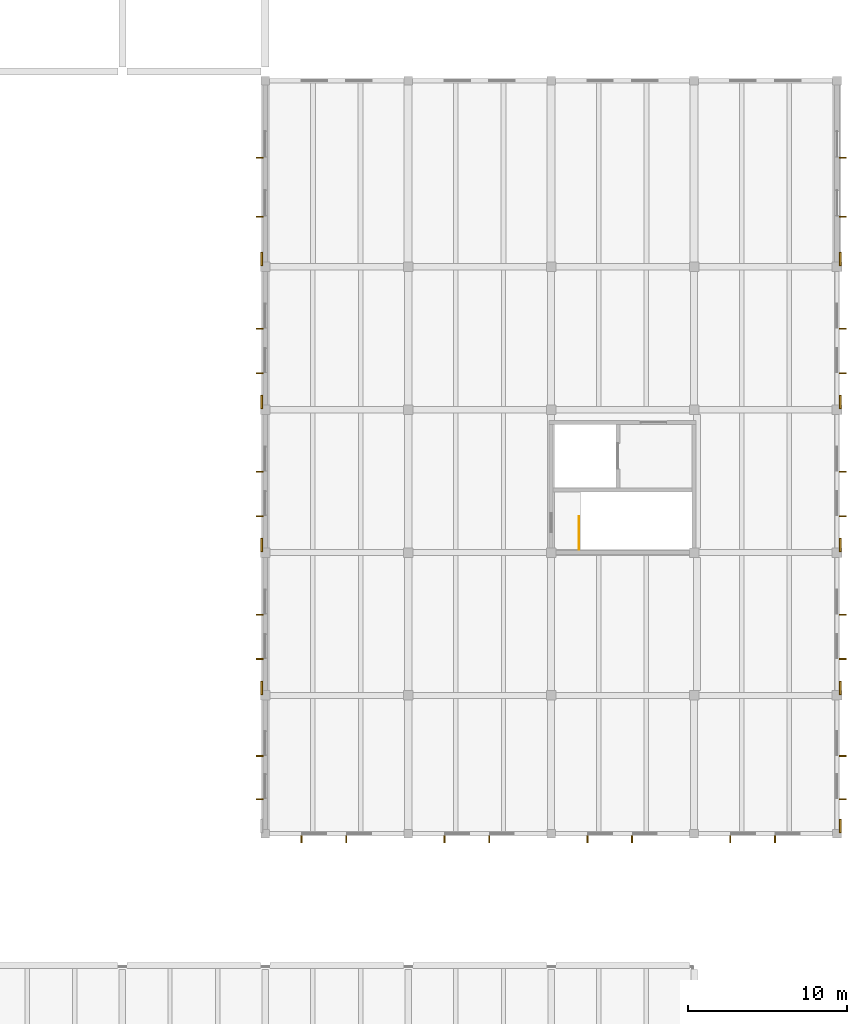
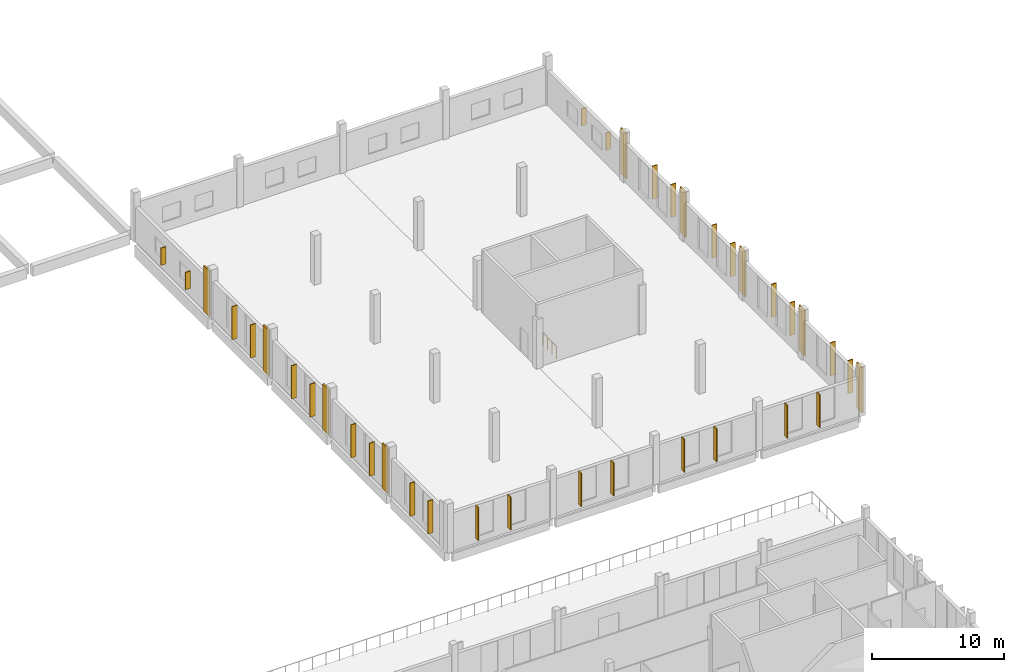
# One storey, part 24 of 25: 28 shading devices, 9 coverings, 1 railing.
"""IFC4 building model written with IfcOpenShell, lengths in metres."""

from ifc_helpers import new_model, si_unit, direction, frame, origin, origin_2d, place, context, subcontext, project, spatial, rectangle, circle, extrude, material, layer, layer_set, type_object, element, save


model = new_model("IFC4")

# Units and contexts
model_context = context("Model", 3, precision=1e-05, world=origin(), true_north=direction((0.0, 1.0)))
body_context = subcontext(model_context, "Body", "Model", "MODEL_VIEW")
ifc_project = project(units=[si_unit("LENGTHUNIT", "METRE"), si_unit("AREAUNIT", "SQUARE_METRE"), si_unit("VOLUMEUNIT", "CUBIC_METRE"), si_unit("PLANEANGLEUNIT", "RADIAN"), si_unit("MASSUNIT", "GRAM", prefix="KILO")], contexts=[model_context])

# Site, building, storey
site_placement = place(None, origin())
site = spatial("IfcSite", under=ifc_project, at=site_placement, CompositionType="ELEMENT")
building_placement = place(site_placement, origin())
building = spatial("IfcBuilding", under=site, at=building_placement, Name="Zacnel Wholesale Market", CompositionType="ELEMENT")
storey_placement = place(building_placement, frame((0.0, 0.0, 15.75)))
storey = spatial("IfcBuildingStorey", under=building, at=storey_placement, Name="L04", CompositionType="ELEMENT", Elevation=15.75)

# Coverings
ifc_material_1 = material(Name="Honed Yucatan Maya cream limestone", Category="masonry")
ifc_layer = layer(ifc_material_1, 0.090087890625)
ifc_layer_set = layer_set([ifc_layer], Name="Honed Yucatan Maya cream limestone")
covering_type = type_object("IfcCoveringType", Name="COV-CLAD-FRET", PredefinedType="CLADDING", material=ifc_layer_set)
for number, where, z_axis, x_axis, name in (
    (1, (179.7900390625, 57.47998046875, 0.02001953125), (0.0, 0.0, 1.0), (0.0, 1.0, 0.0), "Fluted Mayan-Deco limestone pilaster L04-0279"),
    (2, (179.7900390625, 66.47998046875, 0.02001953125), (0.0, 0.0, 1.0), (0.0, 1.0, 0.0), "Fluted Mayan-Deco limestone pilaster L04-0280"),
    (3, (179.7900390625, 75.47998046875, 0.02001953125), (0.0, 0.0, 1.0), (0.0, 1.0, 0.0), "Fluted Mayan-Deco limestone pilaster L04-0281"),
    (4, (179.7900390625, 84.47998046875, 0.02001953125), (0.0, 0.0, 1.0), (0.0, 1.0, 0.0), "Fluted Mayan-Deco limestone pilaster L04-0282"),
    (5, (216.2099609375, 48.780029296875, 0.02001953125), (0.0, 0.0, 1.0), (0.0, 1.0, 0.0), "Fluted Mayan-Deco limestone pilaster L04-0283"),
    (6, (216.2099609375, 57.47998046875, 0.02001953125), (0.0, 0.0, 1.0), (0.0, 1.0, 0.0), "Fluted Mayan-Deco limestone pilaster L04-0284"),
    (7, (216.2099609375, 66.47998046875, 0.02001953125), (0.0, 0.0, 1.0), (0.0, 1.0, 0.0), "Fluted Mayan-Deco limestone pilaster L04-0285"),
    (8, (216.2099609375, 75.47998046875, 0.02001953125), (0.0, 0.0, 1.0), (0.0, 1.0, 0.0), "Fluted Mayan-Deco limestone pilaster L04-0286"),
    (9, (216.2099609375, 84.47998046875, 0.02001953125), (0.0, 0.0, 1.0), (0.0, 1.0, 0.0), "Fluted Mayan-Deco limestone pilaster L04-0287"),
):
    element("IfcCovering", number, at=place(storey_placement, frame(where, z_axis=z_axis, x_axis=x_axis)), inside=storey, type_object=covering_type, Name=name, PredefinedType="CLADDING", context=body_context, shape_type="SweptSolid", body=[
        extrude(rectangle(XDim=0.85009765625, YDim=0.1201171875, at=origin_2d()), origin(), (0.0, 0.0, 1.0), 4.2099609375),
    ])

# Railing
ifc_material_2 = material(Name="Galvanized steel", Category="steel")
railing_type = type_object("IfcRailingType", Name="RAL-STAIR-GD1150", PredefinedType="BALUSTRADE", material=ifc_material_2)
railing_placement = place(storey_placement, frame((199.75, 66.18994140625, 0.0)))
element("IfcRailing", 10, at=railing_placement, inside=storey, type_object=railing_type, Name="Stair balustrade INT-STAIR-ST-29-GDWELL-1", PredefinedType="BALUSTRADE", context=body_context, shape_type="SweptSolid", body=[
    extrude(circle(Radius=0.02392578125, at=origin_2d()), frame((0.0, 0.0, 1.1259765625), z_axis=(0.0, 1.0, 0.0), x_axis=(-1.0, 0.0, 0.0)), (0.0, 0.0, 1.0), 2.06005859375),
    extrude(circle(Radius=0.02099609375, at=origin_2d()), origin(), (0.0, 0.0, 1.0), 1.101806640625),
    extrude(circle(Radius=0.02099609375, at=origin_2d()), frame((0.0, 0.686767578125, 0.0)), (0.0, 0.0, 1.0), 1.101806640625),
    extrude(circle(Radius=0.02099609375, at=origin_2d()), frame((0.0, 1.373291015625, 0.0)), (0.0, 0.0, 1.0), 1.101806640625),
    extrude(circle(Radius=0.02099609375, at=origin_2d()), frame((0.0, 2.06005859375, 0.0)), (0.0, 0.0, 1.0), 1.101806640625),
])

# Shading devices
ifc_material_3 = material(Name="Honed Yucatan Maya cream limestone", Category="masonry")
shading_device_type = type_object("IfcShadingDeviceType", Name="SHD-FIN-V450", PredefinedType="USERDEFINED", material=ifc_material_3)
for number, where, z_axis, x_axis, name in (
    (11, (182.281982421875, 47.93994140625, 0.48486328125), (0.0, 0.0, 1.0), (1.0, 0.0, 0.0), "Limestone sunshade fin 0331"),
    (12, (185.097900390625, 47.93994140625, 0.48486328125), (0.0, 0.0, 1.0), (1.0, 0.0, 0.0), "Limestone sunshade fin 0332"),
    (13, (191.281982421875, 47.93994140625, 0.48486328125), (0.0, 0.0, 1.0), (1.0, 0.0, 0.0), "Limestone sunshade fin 0333"),
    (14, (194.097900390625, 47.93994140625, 0.48486328125), (0.0, 0.0, 1.0), (1.0, 0.0, 0.0), "Limestone sunshade fin 0334"),
    (15, (200.281982421875, 47.93994140625, 0.48486328125), (0.0, 0.0, 1.0), (1.0, 0.0, 0.0), "Limestone sunshade fin 0335"),
    (16, (203.097900390625, 47.93994140625, 0.48486328125), (0.0, 0.0, 1.0), (1.0, 0.0, 0.0), "Limestone sunshade fin 0336"),
    (17, (209.281982421875, 47.93994140625, 0.48486328125), (0.0, 0.0, 1.0), (1.0, 0.0, 0.0), "Limestone sunshade fin 0337"),
    (18, (212.097900390625, 47.93994140625, 0.48486328125), (0.0, 0.0, 1.0), (1.0, 0.0, 0.0), "Limestone sunshade fin 0338"),
    (19, (179.639892578125, 50.472900390625, 0.43505859375), (0.0, 0.0, 1.0), (0.0, 1.0, 0.0), "Limestone sunshade fin 0339"),
    (20, (179.639892578125, 53.181884765625, 0.43505859375), (0.0, 0.0, 1.0), (0.0, 1.0, 0.0), "Limestone sunshade fin 0340"),
    (21, (179.639892578125, 59.2900390625, 0.43505859375), (0.0, 0.0, 1.0), (0.0, 1.0, 0.0), "Limestone sunshade fin 0341"),
    (22, (179.639892578125, 62.090087890625, 0.43505859375), (0.0, 0.0, 1.0), (0.0, 1.0, 0.0), "Limestone sunshade fin 0342"),
    (23, (179.639892578125, 68.2900390625, 0.43505859375), (0.0, 0.0, 1.0), (0.0, 1.0, 0.0), "Limestone sunshade fin 0343"),
    (24, (179.639892578125, 71.090087890625, 0.43505859375), (0.0, 0.0, 1.0), (0.0, 1.0, 0.0), "Limestone sunshade fin 0344"),
    (25, (179.639892578125, 77.2900390625, 0.43505859375), (0.0, 0.0, 1.0), (0.0, 1.0, 0.0), "Limestone sunshade fin 0345"),
    (26, (179.639892578125, 80.090087890625, 0.43505859375), (0.0, 0.0, 1.0), (0.0, 1.0, 0.0), "Limestone sunshade fin 0346"),
):
    element("IfcShadingDevice", number, at=place(storey_placement, frame(where, z_axis=z_axis, x_axis=x_axis)), inside=storey, type_object=shading_device_type, Name=name, ObjectType="SUNSHADE", PredefinedType="USERDEFINED", context=body_context, shape_type="SweptSolid", body=[
        extrude(rectangle(XDim=0.080078125, YDim=0.43994140625, at=origin_2d()), origin(), (0.0, 0.0, 1.0), 3.050048828125),
    ])
for number, where, z_axis, x_axis, name in (
    (27, (179.639892578125, 87.14794921875, 0.77490234375), (0.0, 0.0, 1.0), (0.0, 1.0, 0.0), "Limestone sunshade fin 0347"),
    (28, (179.639892578125, 90.85693359375, 0.77490234375), (0.0, 0.0, 1.0), (0.0, 1.0, 0.0), "Limestone sunshade fin 0348"),
):
    element("IfcShadingDevice", number, at=place(storey_placement, frame(where, z_axis=z_axis, x_axis=x_axis)), inside=storey, type_object=shading_device_type, Name=name, ObjectType="SUNSHADE", PredefinedType="USERDEFINED", context=body_context, shape_type="SweptSolid", body=[
        extrude(rectangle(XDim=0.080078125, YDim=0.43994140625, at=origin_2d()), origin(), (0.0, 0.0, 1.0), 1.60009765625),
    ])
for number, where, z_axis, x_axis, name in (
    (29, (216.360107421875, 50.472900390625, 0.55517578125), (0.0, 0.0, 1.0), (0.0, 1.0, 0.0), "Limestone sunshade fin 0349"),
    (30, (216.360107421875, 53.181884765625, 0.55517578125), (0.0, 0.0, 1.0), (0.0, 1.0, 0.0), "Limestone sunshade fin 0350"),
    (31, (216.360107421875, 59.2900390625, 0.55517578125), (0.0, 0.0, 1.0), (0.0, 1.0, 0.0), "Limestone sunshade fin 0351"),
    (32, (216.360107421875, 62.090087890625, 0.55517578125), (0.0, 0.0, 1.0), (0.0, 1.0, 0.0), "Limestone sunshade fin 0352"),
    (33, (216.360107421875, 68.2900390625, 0.55517578125), (0.0, 0.0, 1.0), (0.0, 1.0, 0.0), "Limestone sunshade fin 0353"),
    (34, (216.360107421875, 71.090087890625, 0.55517578125), (0.0, 0.0, 1.0), (0.0, 1.0, 0.0), "Limestone sunshade fin 0354"),
    (35, (216.360107421875, 77.2900390625, 0.55517578125), (0.0, 0.0, 1.0), (0.0, 1.0, 0.0), "Limestone sunshade fin 0355"),
    (36, (216.360107421875, 80.090087890625, 0.55517578125), (0.0, 0.0, 1.0), (0.0, 1.0, 0.0), "Limestone sunshade fin 0356"),
):
    element("IfcShadingDevice", number, at=place(storey_placement, frame(where, z_axis=z_axis, x_axis=x_axis)), inside=storey, type_object=shading_device_type, Name=name, ObjectType="SUNSHADE", PredefinedType="USERDEFINED", context=body_context, shape_type="SweptSolid", body=[
        extrude(rectangle(XDim=0.080078125, YDim=0.43994140625, at=origin_2d()), origin(), (0.0, 0.0, 1.0), 3.050048828125),
    ])
for number, where, z_axis, x_axis, name in (
    (37, (216.360107421875, 87.14794921875, 0.77490234375), (0.0, 0.0, 1.0), (0.0, 1.0, 0.0), "Limestone sunshade fin 0357"),
    (38, (216.360107421875, 90.85693359375, 0.77490234375), (0.0, 0.0, 1.0), (0.0, 1.0, 0.0), "Limestone sunshade fin 0358"),
):
    element("IfcShadingDevice", number, at=place(storey_placement, frame(where, z_axis=z_axis, x_axis=x_axis)), inside=storey, type_object=shading_device_type, Name=name, ObjectType="SUNSHADE", PredefinedType="USERDEFINED", context=body_context, shape_type="SweptSolid", body=[
        extrude(rectangle(XDim=0.080078125, YDim=0.43994140625, at=origin_2d()), origin(), (0.0, 0.0, 1.0), 1.60009765625),
    ])

save(model, "model.ifc")
